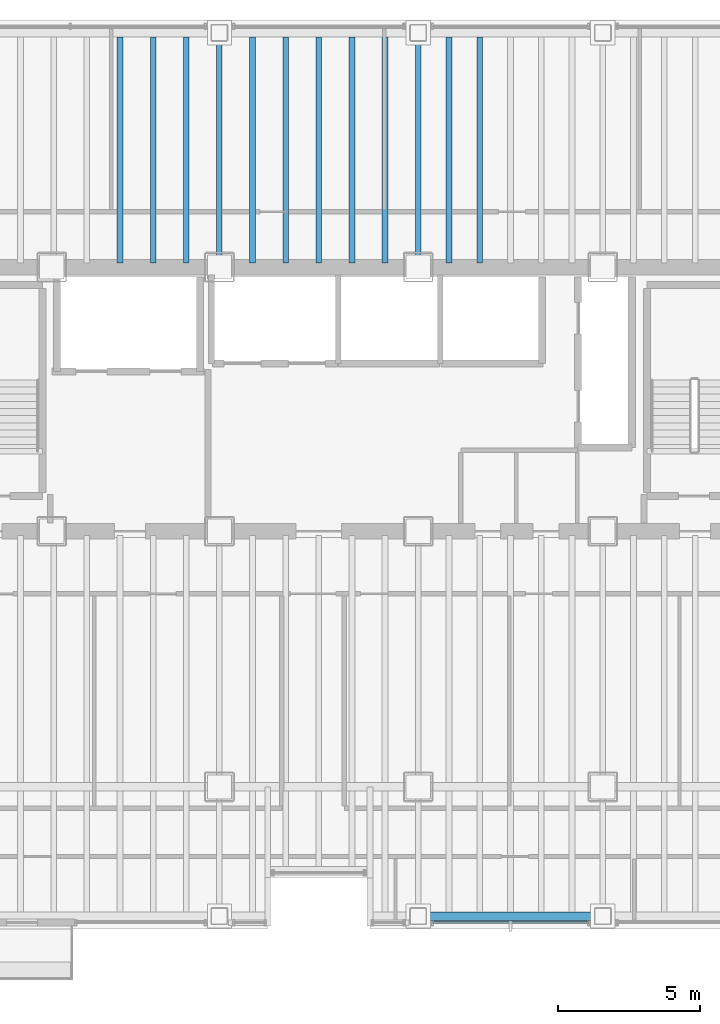
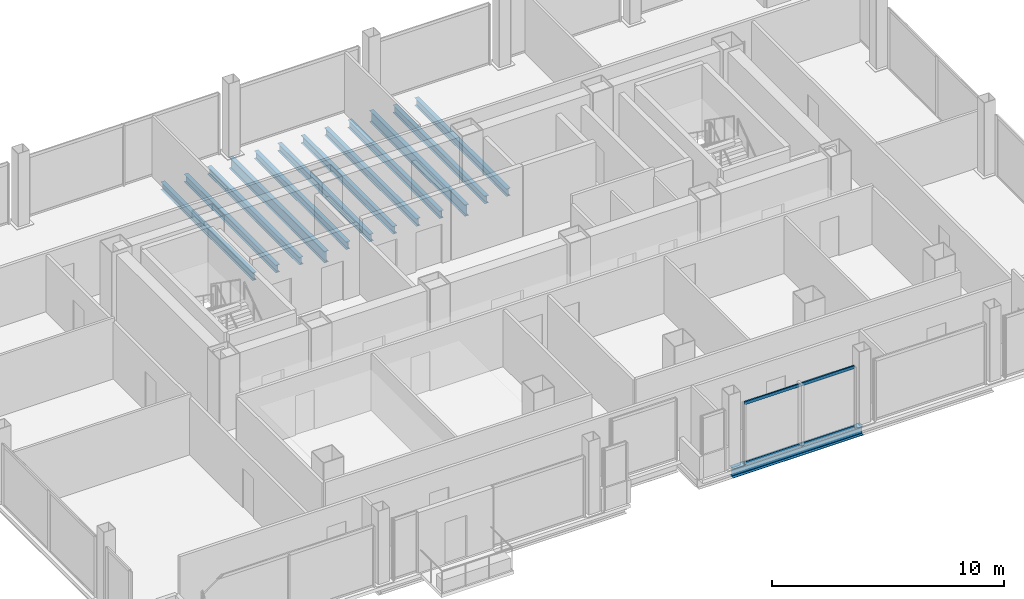
# One storey, part 8 of 21: 13 beams, 2 members, 1 element without a shape of its own.
"""IFC4 building model written with IfcOpenShell, lengths in metres."""

from ifc_helpers import new_model, si_unit, direction, frame, origin, origin_2d, place, context, subcontext, project, spatial, hollow_rectangle, i_section, extrude, material, material_profile, profile_set, type_object, element, aggregate, save


model = new_model("IFC4")

# Units and contexts
model_context = context("Model", 3, precision=1e-05, world=origin(), true_north=direction((0.0, 1.0)))
body_context = subcontext(model_context, "Body", "Model", "MODEL_VIEW")
ifc_project = project(units=[si_unit("LENGTHUNIT", "METRE"), si_unit("AREAUNIT", "SQUARE_METRE"), si_unit("VOLUMEUNIT", "CUBIC_METRE"), si_unit("PLANEANGLEUNIT", "RADIAN"), si_unit("MASSUNIT", "GRAM", prefix="KILO")], contexts=[model_context])

# Site, building, storey
site_placement = place(None, origin())
site = spatial("IfcSite", under=ifc_project, at=site_placement, CompositionType="ELEMENT")
building_placement = place(site_placement, origin())
building = spatial("IfcBuilding", under=site, at=building_placement, Name="Noeulbin Bourse Tower", CompositionType="ELEMENT")
storey_placement = place(building_placement, frame((0.0, 0.0, 38.199951171875)))
storey = spatial("IfcBuildingStorey", under=building, at=storey_placement, Name="L09", CompositionType="ELEMENT", Elevation=38.199951171875)

# Beams
ifc_material_1 = material(Name="Steel S355", Category="steel")
ifc_material_profile_1 = material_profile(ifc_material_1, i_section(OverallWidth=0.199951171875, OverallDepth=0.60009765625, WebThickness=0.010986328125, FlangeThickness=0.01708984375, FilletRadius=0.02197265625, at=origin_2d()), Name="H-600x200x11x17", Category="LoadBearing")
ifc_profile_set_1 = profile_set([ifc_material_profile_1], Name="Steel S355")
beam_type_1 = type_object("IfcBeamType", Name="BM-GRD-600", PredefinedType="USERDEFINED", material=ifc_profile_set_1)
for number, where, z_axis, x_axis, name in (
    (1, (24.0, 38.300048828125, -0.47998046875), (0.0, 1.0, 0.0), (-1.0, 0.0, 0.0), "Tower Primary Girder NS L09-2.4"),
    (2, (31.0, 38.300048828125, -0.47998046875), (0.0, 1.0, 0.0), (-1.0, 0.0, 0.0), "Tower Primary Girder NS L09-3.4"),
):
    element("IfcBeam", number, at=place(storey_placement, frame(where, z_axis=z_axis, x_axis=x_axis)), inside=storey, type_object=beam_type_1, Name=name, ObjectType="GIRDER", PredefinedType="USERDEFINED", context=body_context, shape_type="SweptSolid", body=[
        extrude(i_section(OverallWidth=0.199951171875, OverallDepth=0.60009765625, WebThickness=0.010986328125, FlangeThickness=0.01708984375, FilletRadius=0.02197265625, at=origin_2d()), origin(), (0.0, 0.0, 1.0), 8.25),
    ])
ifc_material_profile_2 = material_profile(ifc_material_1, i_section(OverallWidth=0.199951171875, OverallDepth=0.39990234375, WebThickness=0.008056640625, FlangeThickness=0.012939453125, FilletRadius=0.01611328125, at=origin_2d()), Name="H-400x200x8x13", Category="LoadBearing")
ifc_profile_set_2 = profile_set([ifc_material_profile_2], Name="Steel S355")
beam_type_2 = type_object("IfcBeamType", Name="BM-SEC-400", PredefinedType="BEAM", material=ifc_profile_set_2)
for number, where, z_axis, x_axis, name in (
    (3, (20.5, 38.449951171875, -0.3798828125), (0.0, 1.0, 0.0), (-1.0, 0.0, 0.0), "Tower Composite Joist L09-18"),
    (4, (21.666748046875, 38.449951171875, -0.3798828125), (0.0, 1.0, 0.0), (-1.0, 0.0, 0.0), "Tower Composite Joist L09-21"),
    (5, (22.833251953125, 38.449951171875, -0.3798828125), (0.0, 1.0, 0.0), (-1.0, 0.0, 0.0), "Tower Composite Joist L09-24"),
    (6, (25.166748046875, 38.449951171875, -0.3798828125), (0.0, 1.0, 0.0), (-1.0, 0.0, 0.0), "Tower Composite Joist L09-27"),
    (7, (26.333251953125, 38.449951171875, -0.3798828125), (0.0, 1.0, 0.0), (-1.0, 0.0, 0.0), "Tower Composite Joist L09-30"),
    (8, (27.5, 38.449951171875, -0.3798828125), (0.0, 1.0, 0.0), (-1.0, 0.0, 0.0), "Tower Composite Joist L09-33"),
    (9, (28.666748046875, 38.449951171875, -0.3798828125), (0.0, 1.0, 0.0), (-1.0, 0.0, 0.0), "Tower Composite Joist L09-36"),
    (10, (29.833251953125, 38.449951171875, -0.3798828125), (0.0, 1.0, 0.0), (-1.0, 0.0, 0.0), "Tower Composite Joist L09-39"),
    (11, (32.083251953125, 38.449951171875, -0.3798828125), (0.0, 1.0, 0.0), (-1.0, 0.0, 0.0), "Tower Composite Joist L09-42"),
    (12, (33.166748046875, 38.449951171875, -0.3798828125), (0.0, 1.0, 0.0), (-1.0, 0.0, 0.0), "Tower Composite Joist L09-45"),
):
    element("IfcBeam", number, at=place(storey_placement, frame(where, z_axis=z_axis, x_axis=x_axis)), inside=storey, type_object=beam_type_2, Name=name, PredefinedType="BEAM", context=body_context, shape_type="SweptSolid", body=[
        extrude(i_section(OverallWidth=0.199951171875, OverallDepth=0.39990234375, WebThickness=0.008056640625, FlangeThickness=0.012939453125, FilletRadius=0.01611328125, at=origin_2d()), origin(), (0.0, 0.0, 1.0), 7.949951171875),
    ])
ifc_material_profile_3 = material_profile(ifc_material_1, i_section(OverallWidth=0.300048828125, OverallDepth=0.488037109375, WebThickness=0.010986328125, FlangeThickness=0.01806640625, FilletRadius=0.02197265625, at=origin_2d()), Name="H-488x300x11x18", Category="LoadBearing")
ifc_profile_set_3 = profile_set([ifc_material_profile_3], Name="Steel S355")
beam_type_3 = type_object("IfcBeamType", Name="BM-SPN-488", PredefinedType="SPANDREL", material=ifc_profile_set_3)
beam_placement = place(storey_placement, frame((31.0, 15.449951171875, -0.424072265625), z_axis=(1.0, 0.0, 0.0), x_axis=(0.0, 1.0, 0.0)))
element("IfcBeam", 13, at=beam_placement, inside=storey, type_object=beam_type_3, Name="South Spandrel L09-3", PredefinedType="SPANDREL", context=body_context, shape_type="SweptSolid", body=[
    extrude(i_section(OverallWidth=0.300048828125, OverallDepth=0.488037109375, WebThickness=0.010986328125, FlangeThickness=0.01806640625, FilletRadius=0.02197265625, at=origin_2d()), origin(), (0.0, 0.0, 1.0), 6.5),
])

# Curtain wall, members
ifc_material_2 = material(Name="Dark Solar-Control Double Glazing", Category="glass")
curtain_wall_type = type_object("IfcCurtainWallType", Name="CW-SYS-2", PredefinedType="NOTDEFINED", material=ifc_material_2)
curtain_wall_placement = place(storey_placement, origin())
curtain_wall = element("IfcCurtainWall", 14, at=curtain_wall_placement, inside=storey, type_object=curtain_wall_type, Name="Unitised Curtain Wall CW-L09-S3-S2", PredefinedType="NOTDEFINED")
ifc_material_3 = material(Name="Anodised Aluminium 6063-T6", Category="aluminium")
ifc_material_profile_4 = material_profile(ifc_material_3, hollow_rectangle(XDim=0.074951171875, YDim=0.159912109375, WallThickness=0.0048828125, InnerFilletRadius=0.00244140625, OuterFilletRadius=0.0048828125, at=origin_2d()), Name="ALU-TRAN-75x160x5", Category="LoadBearing")
ifc_profile_set_4 = profile_set([ifc_material_profile_4], Name="Anodised Aluminium 6063-T6")
member_type = type_object("IfcMemberType", Name="CW-SYS-2-TRN", PredefinedType="USERDEFINED", material=ifc_profile_set_4)
member_1_placement = place(storey_placement, frame((31.510009765625, 15.219970703125, 0.010009765625), z_axis=(1.0, 0.0, 0.0), x_axis=(0.0, 1.0, 0.0)))
member_1 = element("IfcMember", 15, at=member_1_placement, type_object=member_type, Name="Curtain Wall Transom CW-L09-S3-S2-T00", ObjectType="TRANSOM", PredefinedType="USERDEFINED", context=body_context, shape_type="SweptSolid", body=[
    extrude(hollow_rectangle(XDim=0.074951171875, YDim=0.159912109375, WallThickness=0.0048828125, InnerFilletRadius=0.00244140625, OuterFilletRadius=0.0048828125, at=origin_2d()), origin(), (0.0, 0.0, 1.0), 5.47998046875),
])
member_2_placement = place(storey_placement, frame((31.510009765625, 15.219970703125, 3.170166015625), z_axis=(1.0, 0.0, 0.0), x_axis=(0.0, 1.0, 0.0)))
member_2 = element("IfcMember", 16, at=member_2_placement, type_object=member_type, Name="Curtain Wall Transom CW-L09-S3-S2-T01", ObjectType="TRANSOM", PredefinedType="USERDEFINED", context=body_context, shape_type="SweptSolid", body=[
    extrude(hollow_rectangle(XDim=0.074951171875, YDim=0.159912109375, WallThickness=0.0048828125, InnerFilletRadius=0.00244140625, OuterFilletRadius=0.0048828125, at=origin_2d()), origin(), (0.0, 0.0, 1.0), 5.47998046875),
])
aggregate(curtain_wall, [member_1, member_2])

save(model, "model.ifc")
